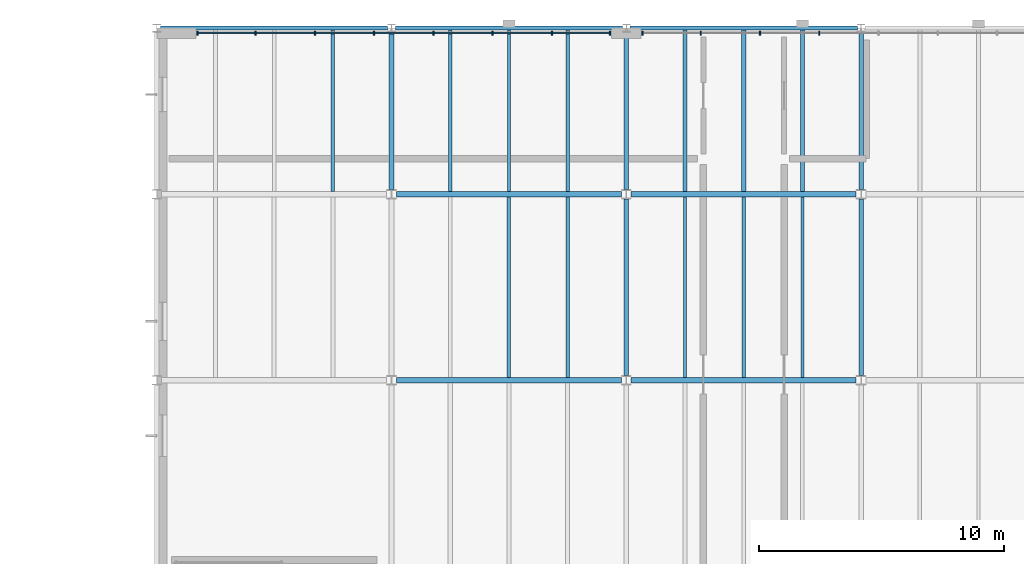
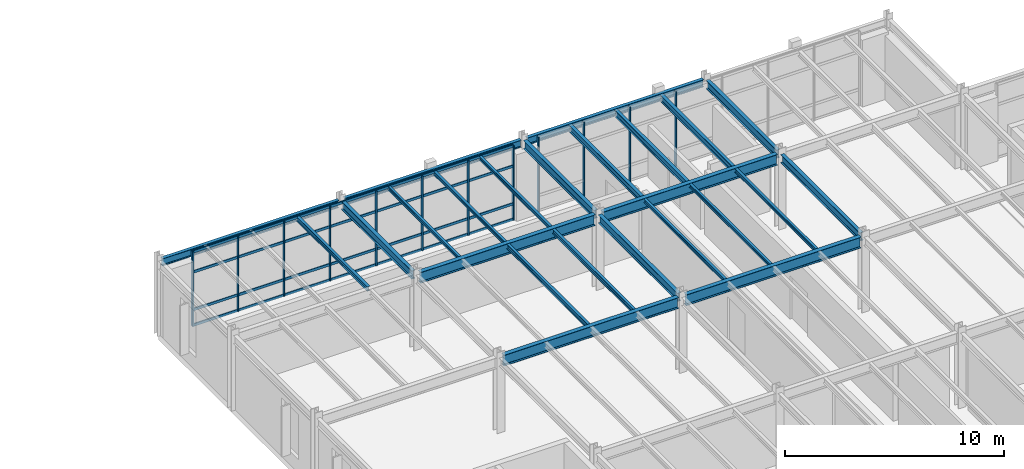
# One storey, part 35 of 77: 24 beams, 16 members, 2 elements without a shape of their own.
"""IFC4 building model written with IfcOpenShell, lengths in metres."""

import ifcopenshell
import ifcopenshell.guid

model = None  # the IFC model being written
_history = None  # IfcOwnerHistory: only IFC2X3 demands one
_inside = {}  # id of a spatial element -> (the spatial element, [elements in it])
_under = {}  # id of a project, library or spatial element -> (it, [spatial elements below it])
_declared = {}  # id of a project -> (the project, [libraries it declares])
_typed = {}  # id of a type object -> (the type object, [elements of that type])
_made_of = {}  # id of a material, layer set ... -> (it, [elements and type objects made of it])


def new_model(schema):
    """Start an empty IFC model of exactly this schema.

    Asked for "IFC4X3", IfcOpenShell would pick the latest addendum, in which some entities
    have other attributes; the version numbers below select the first issue.
    IFC2X3 requires an IfcOwnerHistory on every rooted entity: one is made here for all.
    """
    global model, _history
    if schema == "IFC4X3":
        model = ifcopenshell.file(schema_version=(4, 3, 0, 0))
    else:
        model = ifcopenshell.file(schema=schema)
    _inside.clear()
    _under.clear()
    _declared.clear()
    _typed.clear()
    _made_of.clear()
    _history = None
    if model.schema == "IFC2X3":
        org = make("IfcOrganization", Name="unknown")
        user = make(
            "IfcPersonAndOrganization",
            ThePerson=make("IfcPerson", FamilyName="unknown"),
            TheOrganization=org,
        )
        app = make(
            "IfcApplication",
            ApplicationDeveloper=org,
            Version="unknown",
            ApplicationFullName="unknown",
            ApplicationIdentifier="unknown",
        )
        _history = make(
            "IfcOwnerHistory",
            OwningUser=user,
            OwningApplication=app,
            ChangeAction="ADDED",
            CreationDate=0,
        )
    return model


def make(cls, **values):
    """One entity of the class cls with the attributes given. An attribute that is None is left unset."""
    return model.create_entity(
        cls, **{name: value for name, value in values.items() if value is not None}
    )


def rooted(cls, **values):
    """An entity with a GlobalId (a new one), such as an element, a storey or a relation."""
    return make(cls, GlobalId=ifcopenshell.guid.new(), OwnerHistory=_history, **values)


def si_unit(unit_type, name, prefix=None):
    """IfcSIUnit, for example si_unit("LENGTHUNIT", "METRE", prefix="MILLI")."""
    return make("IfcSIUnit", UnitType=unit_type, Prefix=prefix, Name=name)


def assignment(units):
    """IfcUnitAssignment: the units of a project."""
    return None if units is None else make("IfcUnitAssignment", Units=units)


def point(xyz):
    """IfcCartesianPoint."""
    return None if xyz is None else make("IfcCartesianPoint", Coordinates=xyz)


def direction(xyz):
    """IfcDirection."""
    return None if xyz is None else make("IfcDirection", DirectionRatios=xyz)


def frame(location, z_axis=None, x_axis=None):
    """IfcAxis2Placement3D, a coordinate frame: its origin and axes. An axis left out is left unset."""
    return make(
        "IfcAxis2Placement3D",
        Location=point(location),
        Axis=direction(z_axis),
        RefDirection=direction(x_axis),
    )


def frame_2d(location, x_axis=None):
    """IfcAxis2Placement2D, a coordinate frame in the plane: its origin and x axis."""
    return make(
        "IfcAxis2Placement2D", Location=point(location), RefDirection=direction(x_axis)
    )


def origin():
    """The frame at (0, 0, 0) with its axes left unset."""
    return frame((0.0, 0.0, 0.0))


def origin_2d():
    """The frame at (0, 0) in the plane with its x axis left unset."""
    return frame_2d((0.0, 0.0))


def place(relative_to, where):
    """IfcLocalPlacement: puts the frame where relative to a parent placement (None: the world)."""
    return make(
        "IfcLocalPlacement", PlacementRelTo=relative_to, RelativePlacement=where
    )


def context(
    kind, dimensions, precision=None, world=None, true_north=None, identifier=None
):
    """IfcGeometricRepresentationContext, for example the 3D "Model" context."""
    return make(
        "IfcGeometricRepresentationContext",
        ContextIdentifier=identifier,
        ContextType=kind,
        CoordinateSpaceDimension=dimensions,
        Precision=precision,
        WorldCoordinateSystem=world,
        TrueNorth=true_north,
    )


def subcontext(parent, identifier, kind, view, scale=None):
    """IfcGeometricRepresentationSubContext, for example "Body" below "Model"."""
    return make(
        "IfcGeometricRepresentationSubContext",
        ContextIdentifier=identifier,
        ContextType=kind,
        ParentContext=parent,
        TargetScale=scale,
        TargetView=view,
    )


def project(units=None, contexts=None):
    """IfcProject with its units and contexts."""
    return rooted(
        "IfcProject",
        Name="project",
        RepresentationContexts=contexts,
        UnitsInContext=assignment(units),
    )


def spatial(cls, under=None, at=None, **own):
    """A site, building, storey or space (cls), placed at a placement, below another one or the project."""
    s = rooted(cls, ObjectPlacement=at, **own)
    if under is not None:
        _under.setdefault(under.id(), (under, []))[1].append(s)
    return s


def profile(cls, at=None, kind="AREA", **sizes):
    """A parametric profile (cls). Its sizes go by their IFC names, for example OverallWidth=200.0."""
    return make(cls, ProfileType=kind, Position=at, **sizes)


def rectangle(**sizes):
    """IfcRectangleProfileDef."""
    return profile("IfcRectangleProfileDef", **sizes)


def i_section(**sizes):
    """IfcIShapeProfileDef."""
    return profile("IfcIShapeProfileDef", **sizes)


def extrude(swept, where, along, depth):
    """IfcExtrudedAreaSolid: the profile swept, set in the frame where, extruded along a direction by depth."""
    return make(
        "IfcExtrudedAreaSolid",
        SweptArea=swept,
        Position=where,
        ExtrudedDirection=direction(along),
        Depth=depth,
    )


def shape(context_of_items, identifier, shape_type, items):
    """IfcShapeRepresentation: the items that make up one representation, for example the "Body"."""
    return make(
        "IfcShapeRepresentation",
        ContextOfItems=context_of_items,
        RepresentationIdentifier=identifier,
        RepresentationType=shape_type,
        Items=items,
    )


def material(Name=None, Category=None):
    """IfcMaterial."""
    return make("IfcMaterial", Name=Name, Category=Category)


def material_profile(
    of_material, cross_section, Name=None, Category=None, Priority=None
):
    """IfcMaterialProfile: a cross section and its material."""
    return make(
        "IfcMaterialProfile",
        Name=Name,
        Material=of_material,
        Profile=cross_section,
        Priority=Priority,
        Category=Category,
    )


def profile_set(profiles, Name=None, composite=None):
    """IfcMaterialProfileSet."""
    return make(
        "IfcMaterialProfileSet",
        Name=Name,
        MaterialProfiles=profiles,
        CompositeProfile=composite,
    )


def made_of(thing, what):
    """Note that an element or type object is made of a material, layer set ...; save() writes the relation."""
    if what is not None:
        _made_of.setdefault(what.id(), (what, []))[1].append(thing)
    return thing


def type_object(cls, material=None, **own):
    """A type object (cls), such as IfcWallType, which elements share."""
    return made_of(rooted(cls, **own), material)


def element(
    cls,
    number,
    at=None,
    inside=None,
    cuts=None,
    type_object=None,
    material=None,
    context=None,
    identifier="Body",
    shape_type=None,
    held_by="IfcProductDefinitionShape",
    body=None,
    shapes=None,
    **own,
):
    """One element of the class cls, such as IfcWall. Its Tag is "e" and its number.

    at: its placement. inside: the storey or other place that contains it. cuts: it is an
    opening in that element (IfcRelVoidsElement). A single representation is given by context,
    identifier, shape_type and body (its items); several are given by shapes. held_by: the class
    of the entity that holds the representations. save() writes the other relations.
    """
    e = rooted(cls, Tag="e%d" % number, ObjectPlacement=at, **own)
    if body is not None:
        shapes = [shape(context, identifier, shape_type, body)]
    if shapes is not None:
        e.Representation = make(held_by, Representations=shapes)
    if inside is not None:
        _inside.setdefault(inside.id(), (inside, []))[1].append(e)
    if cuts is not None:
        rooted(
            "IfcRelVoidsElement", RelatingBuildingElement=cuts, RelatedOpeningElement=e
        )
    if type_object is not None:
        _typed.setdefault(type_object.id(), (type_object, []))[1].append(e)
    return made_of(e, material)


def aggregate(whole, parts):
    """IfcRelAggregates: a whole, such as a stair, and the parts it consists of."""
    return rooted("IfcRelAggregates", RelatingObject=whole, RelatedObjects=parts)


def save(model, path):
    """Write the relations noted so far, then the file.

    IfcRelAggregates (storeys below a building ...), IfcRelContainedInSpatialStructure (elements
    in a storey), IfcRelDefinesByType, IfcRelAssociatesMaterial and IfcRelDeclares: one each for
    every whole, place, type object, material and project.
    """
    for whole, parts in _under.values():
        aggregate(whole, parts)
    for where, things in _inside.values():
        rooted(
            "IfcRelContainedInSpatialStructure",
            RelatedElements=things,
            RelatingStructure=where,
        )
    for kind, things in _typed.values():
        rooted("IfcRelDefinesByType", RelatedObjects=things, RelatingType=kind)
    for what, things in _made_of.values():
        rooted("IfcRelAssociatesMaterial", RelatedObjects=things, RelatingMaterial=what)
    for by, libraries in _declared.values():
        rooted("IfcRelDeclares", RelatingContext=by, RelatedDefinitions=libraries)
    model.write(path)


model = new_model("IFC4")

# Units and contexts
model_context = context("Model", 3, precision=1e-05, world=origin(), true_north=direction((0.0, 1.0)))
body_context = subcontext(model_context, "Body", "Model", "MODEL_VIEW")
ifc_project = project(units=[si_unit("LENGTHUNIT", "METRE"), si_unit("AREAUNIT", "SQUARE_METRE"), si_unit("VOLUMEUNIT", "CUBIC_METRE"), si_unit("PLANEANGLEUNIT", "RADIAN"), si_unit("MASSUNIT", "GRAM", prefix="KILO")], contexts=[model_context])

# Site, building, storey
site_placement = place(None, origin())
site = spatial("IfcSite", under=ifc_project, at=site_placement, CompositionType="ELEMENT")
building_placement = place(site_placement, origin())
building = spatial("IfcBuilding", under=site, at=building_placement, Name="Sarnbrook Museum", CompositionType="ELEMENT")
storey_placement = place(building_placement, frame((0.0, 0.0, 5.60009765625)))
storey = spatial("IfcBuildingStorey", under=building, at=storey_placement, Name="L01", CompositionType="ELEMENT", Elevation=5.60009765625)

# Beams
ifc_material_1 = material(Name="Structural Steel Grade 300PLUS (AS/NZS 3679.1, fy = 280 MPa for 17 < t <= 40 mm, 300 MPa for t <= 17 mm)", Category="steel")
ifc_material_profile_1 = material_profile(ifc_material_1, i_section(OverallWidth=0.18994140625, OverallDepth=0.45703125, WebThickness=0.009033203125, FlangeThickness=0.014404296875, FilletRadius=0.011474609375, at=origin_2d()), Name="460UB74.6")
ifc_profile_set_1 = profile_set([ifc_material_profile_1], Name="Structural Steel Grade 300PLUS (AS/NZS 3679.1, fy = 280 MPa for 17 < t <= 40 mm, 300 MPa for t <= 17 mm)")
beam_type_1 = type_object("IfcBeamType", Name="BM-UB460", PredefinedType="BEAM", material=ifc_profile_set_1)
beam_1_placement = place(storey_placement, frame((52.0, 108.591064453125, 3.951416015625), z_axis=(0.0, 1.0, 0.0), x_axis=(-1.0, 0.0, 0.0)))
element("IfcBeam", 1, at=beam_1_placement, inside=storey, type_object=beam_type_1, Name="Girder 6:N-P L01", PredefinedType="BEAM", context=body_context, shape_type="SweptSolid", body=[
    extrude(i_section(OverallWidth=0.18994140625, OverallDepth=0.45703125, WebThickness=0.009033203125, FlangeThickness=0.014404296875, FilletRadius=0.011474609375, at=origin_2d()), origin(), (0.0, 0.0, 1.0), 6.445556640625),
])
beam_2_placement = place(storey_placement, frame((61.60009765625, 100.990966796875, 3.951416015625), z_axis=(0.0, 1.0, 0.0), x_axis=(-1.0, 0.0, 0.0)))
element("IfcBeam", 2, at=beam_2_placement, inside=storey, type_object=beam_type_1, Name="Girder 7:M-N L01", PredefinedType="BEAM", context=body_context, shape_type="SweptSolid", body=[
    extrude(i_section(OverallWidth=0.18994140625, OverallDepth=0.45703125, WebThickness=0.009033203125, FlangeThickness=0.014404296875, FilletRadius=0.011474609375, at=origin_2d()), origin(), (0.0, 0.0, 1.0), 7.218017578125),
])
beam_3_placement = place(storey_placement, frame((61.60009765625, 108.591064453125, 3.951416015625), z_axis=(0.0, 1.0, 0.0), x_axis=(-1.0, 0.0, 0.0)))
element("IfcBeam", 3, at=beam_3_placement, inside=storey, type_object=beam_type_1, Name="Girder 7:N-P L01", PredefinedType="BEAM", context=body_context, shape_type="SweptSolid", body=[
    extrude(i_section(OverallWidth=0.18994140625, OverallDepth=0.45703125, WebThickness=0.009033203125, FlangeThickness=0.014404296875, FilletRadius=0.011474609375, at=origin_2d()), origin(), (0.0, 0.0, 1.0), 6.445556640625),
])
beam_4_placement = place(storey_placement, frame((71.199951171875, 100.990966796875, 3.951416015625), z_axis=(0.0, 1.0, 0.0), x_axis=(-1.0, 0.0, 0.0)))
element("IfcBeam", 4, at=beam_4_placement, inside=storey, type_object=beam_type_1, Name="Girder 8:M-N L01", PredefinedType="BEAM", context=body_context, shape_type="SweptSolid", body=[
    extrude(i_section(OverallWidth=0.18994140625, OverallDepth=0.45703125, WebThickness=0.009033203125, FlangeThickness=0.014404296875, FilletRadius=0.011474609375, at=origin_2d()), origin(), (0.0, 0.0, 1.0), 7.218017578125),
])
beam_5_placement = place(storey_placement, frame((71.199951171875, 108.591064453125, 3.951416015625), z_axis=(0.0, 1.0, 0.0), x_axis=(-1.0, 0.0, 0.0)))
element("IfcBeam", 5, at=beam_5_placement, inside=storey, type_object=beam_type_1, Name="Girder 8:N-P L01", PredefinedType="BEAM", context=body_context, shape_type="SweptSolid", body=[
    extrude(i_section(OverallWidth=0.18994140625, OverallDepth=0.45703125, WebThickness=0.009033203125, FlangeThickness=0.014404296875, FilletRadius=0.011474609375, at=origin_2d()), origin(), (0.0, 0.0, 1.0), 6.445556640625),
])
ifc_material_profile_2 = material_profile(ifc_material_1, i_section(OverallWidth=0.22802734375, OverallDepth=0.60693359375, WebThickness=0.01123046875, FlangeThickness=0.017333984375, FilletRadius=0.013916015625, at=origin_2d()), Name="610UB113")
ifc_profile_set_2 = profile_set([ifc_material_profile_2], Name="Structural Steel Grade 300PLUS (AS/NZS 3679.1, fy = 280 MPa for 17 < t <= 40 mm, 300 MPa for t <= 17 mm)")
beam_type_2 = type_object("IfcBeamType", Name="BM-UB610", PredefinedType="BEAM", material=ifc_profile_set_2)
for number, where, z_axis, x_axis, name in (
    (6, (52.199951171875, 100.800048828125, 3.87646484375), (1.0, 0.0, 0.0), (0.0, 1.0, 0.0), "Girder M:6-7 L01"),
    (7, (61.800048828125, 100.800048828125, 3.87646484375), (1.0, 0.0, 0.0), (0.0, 1.0, 0.0), "Girder M:7-8 L01"),
    (8, (52.199951171875, 108.39990234375, 3.87646484375), (1.0, 0.0, 0.0), (0.0, 1.0, 0.0), "Girder N:6-7 L01"),
    (9, (61.800048828125, 108.39990234375, 3.87646484375), (1.0, 0.0, 0.0), (0.0, 1.0, 0.0), "Girder N:7-8 L01"),
):
    element("IfcBeam", number, at=place(storey_placement, frame(where, z_axis=z_axis, x_axis=x_axis)), inside=storey, type_object=beam_type_2, Name=name, PredefinedType="BEAM", context=body_context, shape_type="SweptSolid", body=[
        extrude(i_section(OverallWidth=0.22802734375, OverallDepth=0.60693359375, WebThickness=0.01123046875, FlangeThickness=0.017333984375, FilletRadius=0.013916015625, at=origin_2d()), origin(), (0.0, 0.0, 1.0), 9.199951171875),
    ])

# Curtain wall, members
ifc_material_2 = material(Name="Thermally Broken Anodised Aluminium 6063-T6", Category="aluminium")
curtain_wall_type = type_object("IfcCurtainWallType", Name="CurtainWall_GalleryRibbon", PredefinedType="NOTDEFINED", material=ifc_material_2)
curtain_wall_1_placement = place(storey_placement, origin())
curtain_wall_1 = element("IfcCurtainWall", 10, at=curtain_wall_1_placement, inside=storey, type_object=curtain_wall_type, Name="Gallery Ribbon Curtain Wall L01-8.1", PredefinedType="NOTDEFINED")
ifc_material_profile_3 = material_profile(ifc_material_2, rectangle(XDim=0.06005859375, YDim=0.159912109375, at=origin_2d()), Name="ALU MULLION 60x160")
ifc_profile_set_3 = profile_set([ifc_material_profile_3], Name="Thermally Broken Anodised Aluminium 6063-T6")
member_type_1 = type_object("IfcMemberType", Name="CW_Mullion_150x65", PredefinedType="MULLION", material=ifc_profile_set_3)
member_1_placement = place(storey_placement, frame((69.488525390625, 114.989990234375, 0.0), z_axis=(0.0, 0.0, 1.0), x_axis=(1.0, 0.0, 0.0)))
member_1 = element("IfcMember", 11, at=member_1_placement, type_object=member_type_1, Name="Gallery Ribbon Curtain Wall L01-8.1 Mullion 5", PredefinedType="MULLION", context=body_context, shape_type="SweptSolid", body=[
    extrude(rectangle(XDim=0.06005859375, YDim=0.159912109375, at=origin_2d()), origin(), (0.0, 0.0, 1.0), 4.159912109375),
])
member_2_placement = place(storey_placement, frame((67.065673828125, 114.989990234375, 0.0), z_axis=(0.0, 0.0, 1.0), x_axis=(1.0, 0.0, 0.0)))
member_2 = element("IfcMember", 12, at=member_2_placement, type_object=member_type_1, Name="Gallery Ribbon Curtain Wall L01-8.1 Mullion 6", PredefinedType="MULLION", context=body_context, shape_type="SweptSolid", body=[
    extrude(rectangle(XDim=0.06005859375, YDim=0.159912109375, at=origin_2d()), origin(), (0.0, 0.0, 1.0), 4.159912109375),
])
member_3_placement = place(storey_placement, frame((64.642822265625, 114.989990234375, 0.0), z_axis=(0.0, 0.0, 1.0), x_axis=(1.0, 0.0, 0.0)))
member_3 = element("IfcMember", 13, at=member_3_placement, type_object=member_type_1, Name="Gallery Ribbon Curtain Wall L01-8.1 Mullion 7", PredefinedType="MULLION", context=body_context, shape_type="SweptSolid", body=[
    extrude(rectangle(XDim=0.06005859375, YDim=0.159912109375, at=origin_2d()), origin(), (0.0, 0.0, 1.0), 4.159912109375),
])
member_4_placement = place(storey_placement, frame((62.260009765625, 114.989990234375, 0.0), z_axis=(0.0, 0.0, 1.0), x_axis=(1.0, 0.0, 0.0)))
member_4 = element("IfcMember", 14, at=member_4_placement, type_object=member_type_1, Name="Gallery Ribbon Curtain Wall L01-8.1 Mullion 8", PredefinedType="MULLION", context=body_context, shape_type="SweptSolid", body=[
    extrude(rectangle(XDim=0.06005859375, YDim=0.159912109375, at=origin_2d()), origin(), (0.0, 0.0, 1.0), 4.159912109375),
])
aggregate(curtain_wall_1, [member_1, member_2, member_3, member_4])

curtain_wall_2_placement = place(storey_placement, origin())
curtain_wall_2 = element("IfcCurtainWall", 15, at=curtain_wall_2_placement, inside=storey, type_object=curtain_wall_type, Name="Gallery Ribbon Curtain Wall L01-8.2", PredefinedType="NOTDEFINED")
member_5_placement = place(storey_placement, frame((60.93994140625, 114.989990234375, 0.0), z_axis=(0.0, 0.0, 1.0), x_axis=(1.0, 0.0, 0.0)))
member_5 = element("IfcMember", 16, at=member_5_placement, type_object=member_type_1, Name="Gallery Ribbon Curtain Wall L01-8.2 Mullion 1", PredefinedType="MULLION", context=body_context, shape_type="SweptSolid", body=[
    extrude(rectangle(XDim=0.06005859375, YDim=0.159912109375, at=origin_2d()), origin(), (0.0, 0.0, 1.0), 4.159912109375),
])
member_6_placement = place(storey_placement, frame((58.55712890625, 114.989990234375, 0.0), z_axis=(0.0, 0.0, 1.0), x_axis=(1.0, 0.0, 0.0)))
member_6 = element("IfcMember", 17, at=member_6_placement, type_object=member_type_1, Name="Gallery Ribbon Curtain Wall L01-8.2 Mullion 2", PredefinedType="MULLION", context=body_context, shape_type="SweptSolid", body=[
    extrude(rectangle(XDim=0.06005859375, YDim=0.159912109375, at=origin_2d()), origin(), (0.0, 0.0, 1.0), 4.159912109375),
])
member_7_placement = place(storey_placement, frame((56.13427734375, 114.989990234375, 0.0), z_axis=(0.0, 0.0, 1.0), x_axis=(1.0, 0.0, 0.0)))
member_7 = element("IfcMember", 18, at=member_7_placement, type_object=member_type_1, Name="Gallery Ribbon Curtain Wall L01-8.2 Mullion 3", PredefinedType="MULLION", context=body_context, shape_type="SweptSolid", body=[
    extrude(rectangle(XDim=0.06005859375, YDim=0.159912109375, at=origin_2d()), origin(), (0.0, 0.0, 1.0), 4.159912109375),
])
member_8_placement = place(storey_placement, frame((53.71142578125, 114.989990234375, 0.0), z_axis=(0.0, 0.0, 1.0), x_axis=(1.0, 0.0, 0.0)))
member_8 = element("IfcMember", 19, at=member_8_placement, type_object=member_type_1, Name="Gallery Ribbon Curtain Wall L01-8.2 Mullion 4", PredefinedType="MULLION", context=body_context, shape_type="SweptSolid", body=[
    extrude(rectangle(XDim=0.06005859375, YDim=0.159912109375, at=origin_2d()), origin(), (0.0, 0.0, 1.0), 4.159912109375),
])
member_9_placement = place(storey_placement, frame((51.28857421875, 114.989990234375, 0.0), z_axis=(0.0, 0.0, 1.0), x_axis=(1.0, 0.0, 0.0)))
member_9 = element("IfcMember", 20, at=member_9_placement, type_object=member_type_1, Name="Gallery Ribbon Curtain Wall L01-8.2 Mullion 5", PredefinedType="MULLION", context=body_context, shape_type="SweptSolid", body=[
    extrude(rectangle(XDim=0.06005859375, YDim=0.159912109375, at=origin_2d()), origin(), (0.0, 0.0, 1.0), 4.159912109375),
])
member_10_placement = place(storey_placement, frame((48.86572265625, 114.989990234375, 0.0), z_axis=(0.0, 0.0, 1.0), x_axis=(1.0, 0.0, 0.0)))
member_10 = element("IfcMember", 21, at=member_10_placement, type_object=member_type_1, Name="Gallery Ribbon Curtain Wall L01-8.2 Mullion 6", PredefinedType="MULLION", context=body_context, shape_type="SweptSolid", body=[
    extrude(rectangle(XDim=0.06005859375, YDim=0.159912109375, at=origin_2d()), origin(), (0.0, 0.0, 1.0), 4.159912109375),
])
member_11_placement = place(storey_placement, frame((46.44287109375, 114.989990234375, 0.0), z_axis=(0.0, 0.0, 1.0), x_axis=(1.0, 0.0, 0.0)))
member_11 = element("IfcMember", 22, at=member_11_placement, type_object=member_type_1, Name="Gallery Ribbon Curtain Wall L01-8.2 Mullion 7", PredefinedType="MULLION", context=body_context, shape_type="SweptSolid", body=[
    extrude(rectangle(XDim=0.06005859375, YDim=0.159912109375, at=origin_2d()), origin(), (0.0, 0.0, 1.0), 4.159912109375),
])
member_12_placement = place(storey_placement, frame((44.06005859375, 114.989990234375, 0.0), z_axis=(0.0, 0.0, 1.0), x_axis=(1.0, 0.0, 0.0)))
member_12 = element("IfcMember", 23, at=member_12_placement, type_object=member_type_1, Name="Gallery Ribbon Curtain Wall L01-8.2 Mullion 8", PredefinedType="MULLION", context=body_context, shape_type="SweptSolid", body=[
    extrude(rectangle(XDim=0.06005859375, YDim=0.159912109375, at=origin_2d()), origin(), (0.0, 0.0, 1.0), 4.159912109375),
])
ifc_material_profile_4 = material_profile(ifc_material_2, rectangle(XDim=0.06494140625, YDim=0.139892578125, at=origin_2d()), Name="ALU TRANSOM 65x140")
ifc_profile_set_4 = profile_set([ifc_material_profile_4], Name="Thermally Broken Anodised Aluminium 6063-T6")
member_type_2 = type_object("IfcMemberType", Name="CW_Transom_150x65", PredefinedType="USERDEFINED", material=ifc_profile_set_4)
member_13_placement = place(storey_placement, frame((60.929931640625, 114.989990234375, 0.039794921875), z_axis=(-1.0, 0.0, 0.0), x_axis=(0.0, -1.0, 0.0)))
member_13 = element("IfcMember", 24, at=member_13_placement, type_object=member_type_2, Name="Gallery Ribbon Curtain Wall L01-8.2 Transom 1", ObjectType="TRANSOM", PredefinedType="USERDEFINED", context=body_context, shape_type="SweptSolid", body=[
    extrude(rectangle(XDim=0.06494140625, YDim=0.139892578125, at=origin_2d()), origin(), (0.0, 0.0, 1.0), 16.85986328125),
])
member_14_placement = place(storey_placement, frame((60.929931640625, 114.989990234375, 0.89990234375), z_axis=(-1.0, 0.0, 0.0), x_axis=(0.0, -1.0, 0.0)))
member_14 = element("IfcMember", 25, at=member_14_placement, type_object=member_type_2, Name="Gallery Ribbon Curtain Wall L01-8.2 Transom 2", ObjectType="TRANSOM", PredefinedType="USERDEFINED", context=body_context, shape_type="SweptSolid", body=[
    extrude(rectangle(XDim=0.06494140625, YDim=0.139892578125, at=origin_2d()), origin(), (0.0, 0.0, 1.0), 16.85986328125),
])
member_15_placement = place(storey_placement, frame((60.929931640625, 114.989990234375, 3.0), z_axis=(-1.0, 0.0, 0.0), x_axis=(0.0, -1.0, 0.0)))
member_15 = element("IfcMember", 26, at=member_15_placement, type_object=member_type_2, Name="Gallery Ribbon Curtain Wall L01-8.2 Transom 3", ObjectType="TRANSOM", PredefinedType="USERDEFINED", context=body_context, shape_type="SweptSolid", body=[
    extrude(rectangle(XDim=0.06494140625, YDim=0.139892578125, at=origin_2d()), origin(), (0.0, 0.0, 1.0), 16.85986328125),
])
member_16_placement = place(storey_placement, frame((60.929931640625, 114.989990234375, 4.119873046875), z_axis=(-1.0, 0.0, 0.0), x_axis=(0.0, -1.0, 0.0)))
member_16 = element("IfcMember", 27, at=member_16_placement, type_object=member_type_2, Name="Gallery Ribbon Curtain Wall L01-8.2 Transom 4", ObjectType="TRANSOM", PredefinedType="USERDEFINED", context=body_context, shape_type="SweptSolid", body=[
    extrude(rectangle(XDim=0.06494140625, YDim=0.139892578125, at=origin_2d()), origin(), (0.0, 0.0, 1.0), 16.85986328125),
])
aggregate(curtain_wall_2, [member_5, member_6, member_7, member_8, member_9, member_10, member_11, member_12, member_13, member_14, member_15, member_16])

# Beams
ifc_material_profile_5 = material_profile(ifc_material_1, i_section(OverallWidth=0.134033203125, OverallDepth=0.20703125, WebThickness=0.00634765625, FlangeThickness=0.009521484375, FilletRadius=0.0087890625, at=origin_2d()), Name="200UB29.8")
ifc_profile_set_5 = profile_set([ifc_material_profile_5], Name="Structural Steel Grade 300PLUS (AS/NZS 3679.1, fy = 280 MPa for 17 < t <= 40 mm, 300 MPa for t <= 17 mm)")
beam_type_3 = type_object("IfcBeamType", Name="JS-UB200", PredefinedType="JOIST", material=ifc_profile_set_5)
for number, where, z_axis, x_axis, name in (
    (28, (54.39990234375, 108.513916015625, 4.076416015625), (0.0, 1.0, 0.0), (-1.0, 0.0, 0.0), "Composite Floor Joist 6N-1 L01"),
    (29, (56.800048828125, 108.513916015625, 4.076416015625), (0.0, 1.0, 0.0), (-1.0, 0.0, 0.0), "Composite Floor Joist 6N-2 L01"),
    (30, (59.199951171875, 108.513916015625, 4.076416015625), (0.0, 1.0, 0.0), (-1.0, 0.0, 0.0), "Composite Floor Joist 6N-3 L01"),
):
    element("IfcBeam", number, at=place(storey_placement, frame(where, z_axis=z_axis, x_axis=x_axis)), inside=storey, type_object=beam_type_3, Name=name, PredefinedType="JOIST", context=body_context, shape_type="SweptSolid", body=[
        extrude(i_section(OverallWidth=0.134033203125, OverallDepth=0.20703125, WebThickness=0.00634765625, FlangeThickness=0.009521484375, FilletRadius=0.0087890625, at=origin_2d()), origin(), (0.0, 0.0, 1.0), 6.59716796875),
    ])
for number, where, z_axis, x_axis, name in (
    (31, (64.0, 100.9140625, 4.076416015625), (0.0, 1.0, 0.0), (-1.0, 0.0, 0.0), "Composite Floor Joist 7M-1 L01"),
    (32, (66.39990234375, 100.9140625, 4.076416015625), (0.0, 1.0, 0.0), (-1.0, 0.0, 0.0), "Composite Floor Joist 7M-2 L01"),
    (33, (68.800048828125, 100.9140625, 4.076416015625), (0.0, 1.0, 0.0), (-1.0, 0.0, 0.0), "Composite Floor Joist 7M-3 L01"),
):
    element("IfcBeam", number, at=place(storey_placement, frame(where, z_axis=z_axis, x_axis=x_axis)), inside=storey, type_object=beam_type_3, Name=name, PredefinedType="JOIST", context=body_context, shape_type="SweptSolid", body=[
        extrude(i_section(OverallWidth=0.134033203125, OverallDepth=0.20703125, WebThickness=0.00634765625, FlangeThickness=0.009521484375, FilletRadius=0.0087890625, at=origin_2d()), origin(), (0.0, 0.0, 1.0), 7.371826171875),
    ])
ifc_material_profile_6 = material_profile(ifc_material_1, i_section(OverallWidth=0.14599609375, OverallDepth=0.256103515625, WebThickness=0.00634765625, FlangeThickness=0.010986328125, FilletRadius=0.0087890625, at=origin_2d()), Name="250UB37.3")
ifc_profile_set_6 = profile_set([ifc_material_profile_6], Name="Structural Steel Grade 300PLUS (AS/NZS 3679.1, fy = 280 MPa for 17 < t <= 40 mm, 300 MPa for t <= 17 mm)")
beam_type_4 = type_object("IfcBeamType", Name="JS-UB250", PredefinedType="JOIST", material=ifc_profile_set_6)
beam_6_placement = place(storey_placement, frame((49.60009765625, 108.513916015625, 4.052001953125), z_axis=(0.0, 1.0, 0.0), x_axis=(-1.0, 0.0, 0.0)))
element("IfcBeam", 34, at=beam_6_placement, inside=storey, type_object=beam_type_4, Name="Composite Floor Joist 5N-3 L01", PredefinedType="JOIST", context=body_context, shape_type="SweptSolid", body=[
    extrude(i_section(OverallWidth=0.14599609375, OverallDepth=0.256103515625, WebThickness=0.00634765625, FlangeThickness=0.010986328125, FilletRadius=0.0087890625, at=origin_2d()), origin(), (0.0, 0.0, 1.0), 6.59716796875),
])
for number, where, z_axis, x_axis, name in (
    (35, (56.800048828125, 100.9140625, 4.052001953125), (0.0, 1.0, 0.0), (-1.0, 0.0, 0.0), "Composite Floor Joist 6M-2 L01"),
    (36, (59.199951171875, 100.9140625, 4.052001953125), (0.0, 1.0, 0.0), (-1.0, 0.0, 0.0), "Composite Floor Joist 6M-3 L01"),
):
    element("IfcBeam", number, at=place(storey_placement, frame(where, z_axis=z_axis, x_axis=x_axis)), inside=storey, type_object=beam_type_4, Name=name, PredefinedType="JOIST", context=body_context, shape_type="SweptSolid", body=[
        extrude(i_section(OverallWidth=0.14599609375, OverallDepth=0.256103515625, WebThickness=0.00634765625, FlangeThickness=0.010986328125, FilletRadius=0.0087890625, at=origin_2d()), origin(), (0.0, 0.0, 1.0), 7.371826171875),
    ])
ifc_material_profile_7 = material_profile(ifc_material_1, i_section(OverallWidth=0.1708984375, OverallDepth=0.35595703125, WebThickness=0.00732421875, FlangeThickness=0.011474609375, FilletRadius=0.011474609375, at=origin_2d()), Name="360UB50.7")
ifc_profile_set_7 = profile_set([ifc_material_profile_7], Name="Structural Steel Grade 300PLUS (AS/NZS 3679.1, fy = 280 MPa for 17 < t <= 40 mm, 300 MPa for t <= 17 mm)")
beam_type_5 = type_object("IfcBeamType", Name="JS-UB360", PredefinedType="JOIST", material=ifc_profile_set_7)
for number, where, z_axis, x_axis, name in (
    (37, (64.0, 108.513916015625, 4.001953125), (0.0, 1.0, 0.0), (-1.0, 0.0, 0.0), "Composite Floor Joist 7N-1 L01"),
    (38, (66.39990234375, 108.513916015625, 4.001953125), (0.0, 1.0, 0.0), (-1.0, 0.0, 0.0), "Composite Floor Joist 7N-2 L01"),
    (39, (68.800048828125, 108.513916015625, 4.001953125), (0.0, 1.0, 0.0), (-1.0, 0.0, 0.0), "Composite Floor Joist 7N-3 L01"),
):
    element("IfcBeam", number, at=place(storey_placement, frame(where, z_axis=z_axis, x_axis=x_axis)), inside=storey, type_object=beam_type_5, Name=name, PredefinedType="JOIST", context=body_context, shape_type="SweptSolid", body=[
        extrude(i_section(OverallWidth=0.1708984375, OverallDepth=0.35595703125, WebThickness=0.00732421875, FlangeThickness=0.011474609375, FilletRadius=0.011474609375, at=origin_2d()), origin(), (0.0, 0.0, 1.0), 6.59716796875),
    ])
ifc_material_profile_8 = material_profile(ifc_material_1, i_section(OverallWidth=0.177978515625, OverallDepth=0.406005859375, WebThickness=0.0078125, FlangeThickness=0.0126953125, FilletRadius=0.011474609375, at=origin_2d()), Name="410UB59.7")
ifc_profile_set_8 = profile_set([ifc_material_profile_8], Name="Structural Steel Grade 300PLUS (AS/NZS 3679.1, fy = 280 MPa for 17 < t <= 40 mm, 300 MPa for t <= 17 mm)")
beam_type_6 = type_object("IfcBeamType", Name="SP-UB410", PredefinedType="SPANDREL", material=ifc_profile_set_8)
for number, where, z_axis, x_axis, name in (
    (40, (42.555419921875, 115.199951171875, 3.976806640625), (1.0, 0.0, 0.0), (0.0, 1.0, 0.0), "Girder P:5-6 L01"),
    (41, (52.155517578125, 115.199951171875, 3.976806640625), (1.0, 0.0, 0.0), (0.0, 1.0, 0.0), "Girder P:6-7 L01"),
):
    element("IfcBeam", number, at=place(storey_placement, frame(where, z_axis=z_axis, x_axis=x_axis)), inside=storey, type_object=beam_type_6, Name=name, PredefinedType="SPANDREL", context=body_context, shape_type="SweptSolid", body=[
        extrude(i_section(OverallWidth=0.177978515625, OverallDepth=0.406005859375, WebThickness=0.0078125, FlangeThickness=0.0126953125, FilletRadius=0.011474609375, at=origin_2d()), origin(), (0.0, 0.0, 1.0), 9.2890625),
    ])
beam_7_placement = place(storey_placement, frame((61.755615234375, 115.199951171875, 3.976806640625), z_axis=(1.0, 0.0, 0.0), x_axis=(0.0, 1.0, 0.0)))
element("IfcBeam", 42, at=beam_7_placement, inside=storey, type_object=beam_type_6, Name="Girder P:7-8 L01", PredefinedType="SPANDREL", context=body_context, shape_type="SweptSolid", body=[
    extrude(i_section(OverallWidth=0.177978515625, OverallDepth=0.406005859375, WebThickness=0.0078125, FlangeThickness=0.0126953125, FilletRadius=0.011474609375, at=origin_2d()), origin(), (0.0, 0.0, 1.0), 9.288818359375),
])

save(model, "model.ifc")
